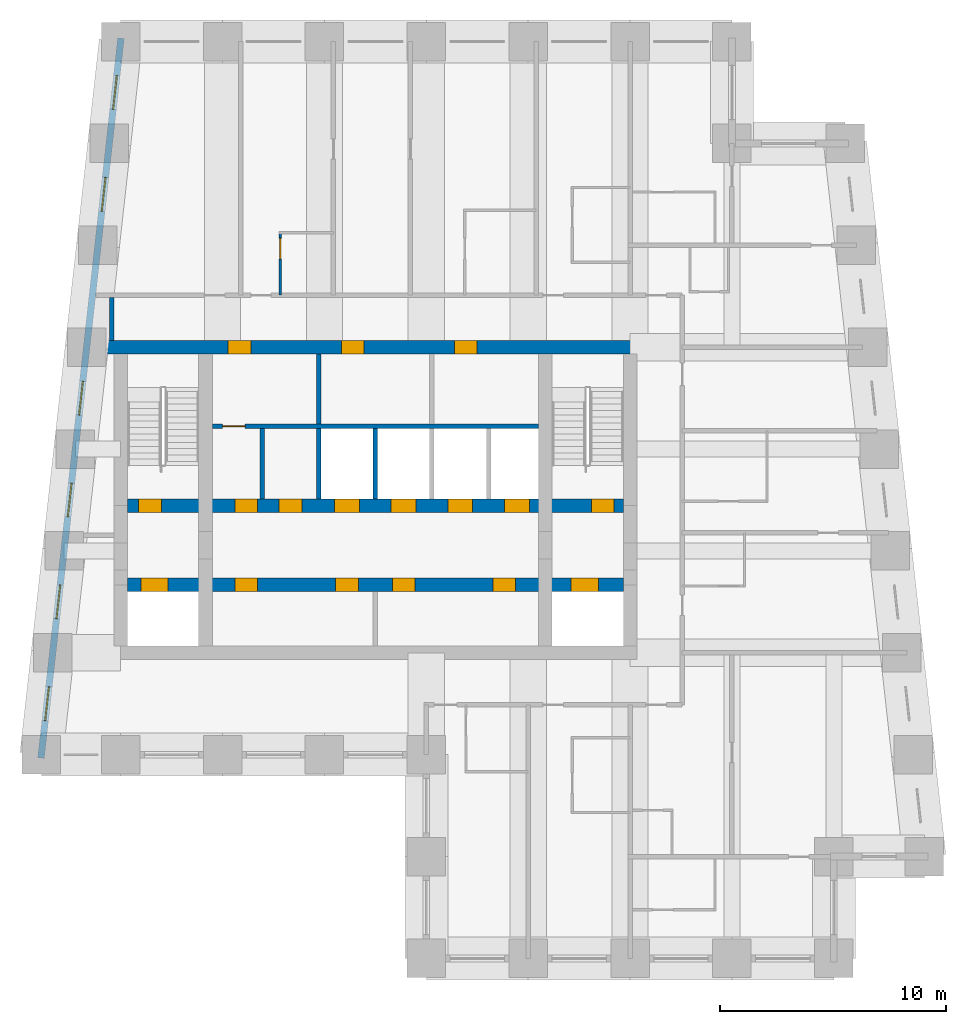
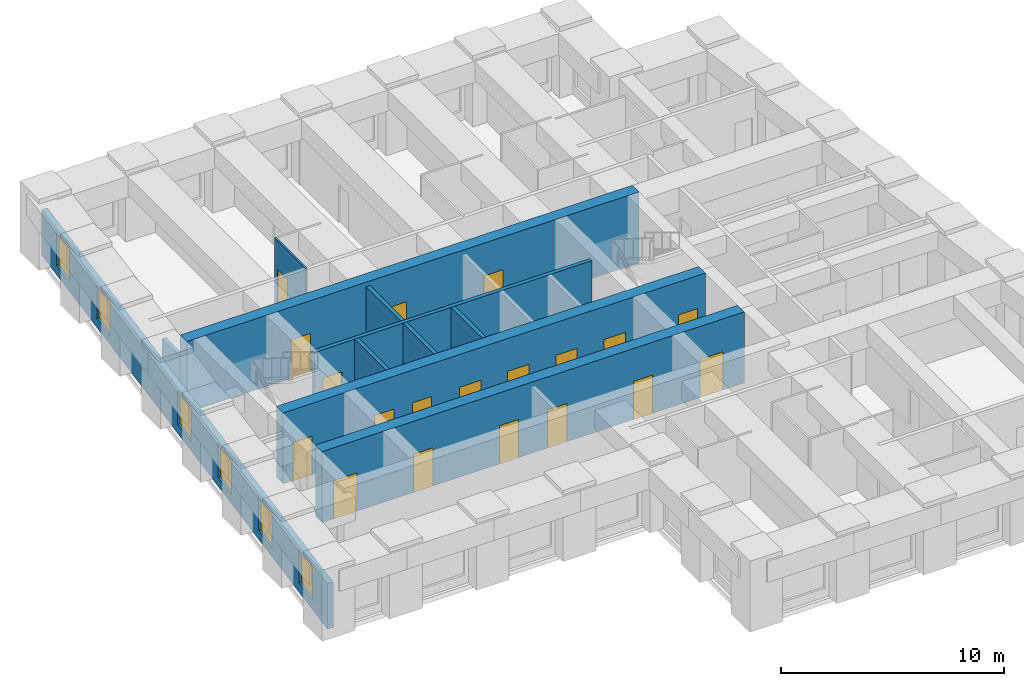
# One storey, part 3 of 7: 19 doors, 11 walls, 6 windows, 25 openings.
"""IFC4 building model written with IfcOpenShell, lengths in metres."""

import ifcopenshell
import ifcopenshell.guid

model = None  # the IFC model being written
_history = None  # IfcOwnerHistory: only IFC2X3 demands one
_inside = {}  # id of a spatial element -> (the spatial element, [elements in it])
_under = {}  # id of a project, library or spatial element -> (it, [spatial elements below it])
_declared = {}  # id of a project -> (the project, [libraries it declares])
_typed = {}  # id of a type object -> (the type object, [elements of that type])
_made_of = {}  # id of a material, layer set ... -> (it, [elements and type objects made of it])


def new_model(schema):
    """Start an empty IFC model of exactly this schema.

    Asked for "IFC4X3", IfcOpenShell would pick the latest addendum, in which some entities
    have other attributes; the version numbers below select the first issue.
    IFC2X3 requires an IfcOwnerHistory on every rooted entity: one is made here for all.
    """
    global model, _history
    if schema == "IFC4X3":
        model = ifcopenshell.file(schema_version=(4, 3, 0, 0))
    else:
        model = ifcopenshell.file(schema=schema)
    _inside.clear()
    _under.clear()
    _declared.clear()
    _typed.clear()
    _made_of.clear()
    _history = None
    if model.schema == "IFC2X3":
        org = make("IfcOrganization", Name="unknown")
        user = make(
            "IfcPersonAndOrganization",
            ThePerson=make("IfcPerson", FamilyName="unknown"),
            TheOrganization=org,
        )
        app = make(
            "IfcApplication",
            ApplicationDeveloper=org,
            Version="unknown",
            ApplicationFullName="unknown",
            ApplicationIdentifier="unknown",
        )
        _history = make(
            "IfcOwnerHistory",
            OwningUser=user,
            OwningApplication=app,
            ChangeAction="ADDED",
            CreationDate=0,
        )
    return model


def make(cls, **values):
    """One entity of the class cls with the attributes given. An attribute that is None is left unset."""
    return model.create_entity(
        cls, **{name: value for name, value in values.items() if value is not None}
    )


def rooted(cls, **values):
    """An entity with a GlobalId (a new one), such as an element, a storey or a relation."""
    return make(cls, GlobalId=ifcopenshell.guid.new(), OwnerHistory=_history, **values)


def si_unit(unit_type, name, prefix=None):
    """IfcSIUnit, for example si_unit("LENGTHUNIT", "METRE", prefix="MILLI")."""
    return make("IfcSIUnit", UnitType=unit_type, Prefix=prefix, Name=name)


def assignment(units):
    """IfcUnitAssignment: the units of a project."""
    return None if units is None else make("IfcUnitAssignment", Units=units)


def point(xyz):
    """IfcCartesianPoint."""
    return None if xyz is None else make("IfcCartesianPoint", Coordinates=xyz)


def direction(xyz):
    """IfcDirection."""
    return None if xyz is None else make("IfcDirection", DirectionRatios=xyz)


def frame(location, z_axis=None, x_axis=None):
    """IfcAxis2Placement3D, a coordinate frame: its origin and axes. An axis left out is left unset."""
    return make(
        "IfcAxis2Placement3D",
        Location=point(location),
        Axis=direction(z_axis),
        RefDirection=direction(x_axis),
    )


def frame_2d(location, x_axis=None):
    """IfcAxis2Placement2D, a coordinate frame in the plane: its origin and x axis."""
    return make(
        "IfcAxis2Placement2D", Location=point(location), RefDirection=direction(x_axis)
    )


def origin():
    """The frame at (0, 0, 0) with its axes left unset."""
    return frame((0.0, 0.0, 0.0))


def place(relative_to, where):
    """IfcLocalPlacement: puts the frame where relative to a parent placement (None: the world)."""
    return make(
        "IfcLocalPlacement", PlacementRelTo=relative_to, RelativePlacement=where
    )


def context(
    kind, dimensions, precision=None, world=None, true_north=None, identifier=None
):
    """IfcGeometricRepresentationContext, for example the 3D "Model" context."""
    return make(
        "IfcGeometricRepresentationContext",
        ContextIdentifier=identifier,
        ContextType=kind,
        CoordinateSpaceDimension=dimensions,
        Precision=precision,
        WorldCoordinateSystem=world,
        TrueNorth=true_north,
    )


def subcontext(parent, identifier, kind, view, scale=None):
    """IfcGeometricRepresentationSubContext, for example "Body" below "Model"."""
    return make(
        "IfcGeometricRepresentationSubContext",
        ContextIdentifier=identifier,
        ContextType=kind,
        ParentContext=parent,
        TargetScale=scale,
        TargetView=view,
    )


def project(units=None, contexts=None):
    """IfcProject with its units and contexts."""
    return rooted(
        "IfcProject",
        Name="project",
        RepresentationContexts=contexts,
        UnitsInContext=assignment(units),
    )


def spatial(cls, under=None, at=None, **own):
    """A site, building, storey or space (cls), placed at a placement, below another one or the project."""
    s = rooted(cls, ObjectPlacement=at, **own)
    if under is not None:
        _under.setdefault(under.id(), (under, []))[1].append(s)
    return s


def profile(cls, at=None, kind="AREA", **sizes):
    """A parametric profile (cls). Its sizes go by their IFC names, for example OverallWidth=200.0."""
    return make(cls, ProfileType=kind, Position=at, **sizes)


def rectangle(**sizes):
    """IfcRectangleProfileDef."""
    return profile("IfcRectangleProfileDef", **sizes)


def extrude(swept, where, along, depth):
    """IfcExtrudedAreaSolid: the profile swept, set in the frame where, extruded along a direction by depth."""
    return make(
        "IfcExtrudedAreaSolid",
        SweptArea=swept,
        Position=where,
        ExtrudedDirection=direction(along),
        Depth=depth,
    )


def shape(context_of_items, identifier, shape_type, items):
    """IfcShapeRepresentation: the items that make up one representation, for example the "Body"."""
    return make(
        "IfcShapeRepresentation",
        ContextOfItems=context_of_items,
        RepresentationIdentifier=identifier,
        RepresentationType=shape_type,
        Items=items,
    )


def material(Name=None, Category=None):
    """IfcMaterial."""
    return make("IfcMaterial", Name=Name, Category=Category)


def layer(
    of_material, thickness, ventilated=None, Name=None, Category=None, Priority=None
):
    """IfcMaterialLayer: one layer of a wall or slab, of a material (None: an air gap)."""
    return make(
        "IfcMaterialLayer",
        Material=of_material,
        LayerThickness=thickness,
        IsVentilated=ventilated,
        Name=Name,
        Category=Category,
        Priority=Priority,
    )


def layer_set(layers, Name=None):
    """IfcMaterialLayerSet."""
    return make("IfcMaterialLayerSet", MaterialLayers=layers, LayerSetName=Name)


def made_of(thing, what):
    """Note that an element or type object is made of a material, layer set ...; save() writes the relation."""
    if what is not None:
        _made_of.setdefault(what.id(), (what, []))[1].append(thing)
    return thing


def type_object(cls, material=None, **own):
    """A type object (cls), such as IfcWallType, which elements share."""
    return made_of(rooted(cls, **own), material)


def element(
    cls,
    number,
    at=None,
    inside=None,
    cuts=None,
    type_object=None,
    material=None,
    context=None,
    identifier="Body",
    shape_type=None,
    held_by="IfcProductDefinitionShape",
    body=None,
    shapes=None,
    **own,
):
    """One element of the class cls, such as IfcWall. Its Tag is "e" and its number.

    at: its placement. inside: the storey or other place that contains it. cuts: it is an
    opening in that element (IfcRelVoidsElement). A single representation is given by context,
    identifier, shape_type and body (its items); several are given by shapes. held_by: the class
    of the entity that holds the representations. save() writes the other relations.
    """
    e = rooted(cls, Tag="e%d" % number, ObjectPlacement=at, **own)
    if body is not None:
        shapes = [shape(context, identifier, shape_type, body)]
    if shapes is not None:
        e.Representation = make(held_by, Representations=shapes)
    if inside is not None:
        _inside.setdefault(inside.id(), (inside, []))[1].append(e)
    if cuts is not None:
        rooted(
            "IfcRelVoidsElement", RelatingBuildingElement=cuts, RelatedOpeningElement=e
        )
    if type_object is not None:
        _typed.setdefault(type_object.id(), (type_object, []))[1].append(e)
    return made_of(e, material)


def fill(opening, filler):
    """IfcRelFillsElement: the door or window that sits in an opening."""
    return rooted(
        "IfcRelFillsElement",
        RelatingOpeningElement=opening,
        RelatedBuildingElement=filler,
    )


def aggregate(whole, parts):
    """IfcRelAggregates: a whole, such as a stair, and the parts it consists of."""
    return rooted("IfcRelAggregates", RelatingObject=whole, RelatedObjects=parts)


def save(model, path):
    """Write the relations noted so far, then the file.

    IfcRelAggregates (storeys below a building ...), IfcRelContainedInSpatialStructure (elements
    in a storey), IfcRelDefinesByType, IfcRelAssociatesMaterial and IfcRelDeclares: one each for
    every whole, place, type object, material and project.
    """
    for whole, parts in _under.values():
        aggregate(whole, parts)
    for where, things in _inside.values():
        rooted(
            "IfcRelContainedInSpatialStructure",
            RelatedElements=things,
            RelatingStructure=where,
        )
    for kind, things in _typed.values():
        rooted("IfcRelDefinesByType", RelatedObjects=things, RelatingType=kind)
    for what, things in _made_of.values():
        rooted("IfcRelAssociatesMaterial", RelatedObjects=things, RelatingMaterial=what)
    for by, libraries in _declared.values():
        rooted("IfcRelDeclares", RelatingContext=by, RelatedDefinitions=libraries)
    model.write(path)


model = new_model("IFC4")

# Units and contexts
model_context = context("Model", 3, precision=1e-05, world=origin(), true_north=direction((0.0, 1.0)))
body_context = subcontext(model_context, "Body", "Model", "MODEL_VIEW")
ifc_project = project(units=[si_unit("LENGTHUNIT", "METRE"), si_unit("AREAUNIT", "SQUARE_METRE"), si_unit("VOLUMEUNIT", "CUBIC_METRE"), si_unit("PLANEANGLEUNIT", "RADIAN"), si_unit("MASSUNIT", "GRAM", prefix="KILO")], contexts=[model_context])

# Site, building, storey
site_placement = place(None, origin())
site = spatial("IfcSite", under=ifc_project, at=site_placement, CompositionType="ELEMENT")
building_placement = place(site_placement, origin())
building = spatial("IfcBuilding", under=site, at=building_placement, Name="Kilele Tower Hotel", CompositionType="ELEMENT")
storey_placement = place(building_placement, frame((0.0, 0.0, 229.10009765625)))
storey = spatial("IfcBuildingStorey", under=building, at=storey_placement, Name="L59", CompositionType="ELEMENT", Elevation=229.10009765625)

# Wall, opening, door
ifc_material_1 = material(Name="Moisture-resistant board")
ifc_layer_1 = layer(ifc_material_1, 0.10009765625)
ifc_layer_set_1 = layer_set([ifc_layer_1], Name="Moisture-resistant board")
wall_type_1 = type_object("IfcWallType", Name="Bathroom partition 100", PredefinedType="PLUMBINGWALL", material=ifc_layer_set_1)
wall_1_placement = place(storey_placement, frame((20.550048828125, 29.300048828125, 0.0), z_axis=(0.0, 0.0, 1.0), x_axis=(0.0, 1.0, 0.0)))
wall_1 = element("IfcWall", 1, at=wall_1_placement, inside=storey, type_object=wall_type_1, Name="Bathroom partition 100 L59", PredefinedType="PLUMBINGWALL", context=body_context, shape_type="SweptSolid", body=[
    extrude(rectangle(XDim=2.800048828125, YDim=0.10009765625, at=frame_2d((1.39990234375, 0.0))), origin(), (0.0, 0.0, 1.0), 3.64990234375),
])
opening_1_placement = place(wall_1_placement, frame((1.60009765625, 0.0, 0.0)))
opening_1 = element("IfcOpeningElement", 2, at=opening_1_placement, cuts=wall_1, Name="Opening D2A", PredefinedType="OPENING", context=body_context, shape_type="SweptSolid", body=[
    extrude(rectangle(XDim=0.89990234375, YDim=2.10009765625, at=frame_2d((0.449951171875, 1.050048828125))), frame((0.0, 0.06005859375, 0.0), z_axis=(0.0, -1.0, 0.0), x_axis=(1.0, 0.0, 0.0)), (0.0, 0.0, 1.0), 0.1201171875),
])
ifc_material_2 = material(Name="Timber door leaf in hardwood frame", Category="wood")
door_type_1 = type_object("IfcDoorType", Name="Bathroom door 900", OperationType="SINGLE_SWING_LEFT", PredefinedType="DOOR", material=ifc_material_2)
door_1_placement = place(opening_1_placement, origin())
door_1 = element("IfcDoor", 3, at=door_1_placement, inside=storey, type_object=door_type_1, Name="Bathroom door 5908B", OperationType="SINGLE_SWING_LEFT", OverallHeight=2.10009765625, OverallWidth=0.89990234375, PredefinedType="DOOR", context=body_context, shape_type="SweptSolid", body=[
    extrude(rectangle(XDim=0.89990234375, YDim=2.10009765625, at=frame_2d((0.449951171875, 1.050048828125))), frame((0.0, 0.02490234375, 0.0), z_axis=(0.0, -1.0, 0.0), x_axis=(1.0, 0.0, 0.0)), (0.0, 0.0, 1.0), 0.050048828125),
])
fill(opening_1, door_1)

# Wall, openings, doors
ifc_material_3 = material(Name="Concrete C60/75", Category="concrete")
ifc_layer_2 = layer(ifc_material_3, 0.60009765625)
ifc_layer_set_2 = layer_set([ifc_layer_2], Name="Concrete C60/75")
wall_type_2 = type_object("IfcWallType", Name="Core wall 600 C60/75", PredefinedType="SHEAR", material=ifc_layer_set_2)
wall_2_placement = place(storey_placement, frame((36.300048828125, 27.0, 0.0), z_axis=(0.0, 0.0, 1.0), x_axis=(-1.0, 0.0, 0.0)))
wall_2 = element("IfcWall", 4, at=wall_2_placement, inside=storey, type_object=wall_type_2, Name="Core wall N L59", PredefinedType="SHEAR", context=body_context, shape_type="SweptSolid", body=[
    extrude(rectangle(XDim=23.449951171875, YDim=0.60009765625, at=frame_2d((11.72509765625, 0.0))), origin(), (0.0, 0.0, 1.0), 3.89990234375),
])
opening_2_placement = place(wall_2_placement, frame((17.050048828125, 0.0, 0.0)))
opening_2 = element("IfcOpeningElement", 5, at=opening_2_placement, cuts=wall_2, Name="Opening D12", PredefinedType="OPENING", context=body_context, shape_type="SweptSolid", body=[
    extrude(rectangle(XDim=1.0, YDim=2.10009765625, at=frame_2d((0.5, 1.050048828125))), frame((0.0, 0.31005859375, 0.0), z_axis=(0.0, -1.0, 0.0), x_axis=(1.0, 0.0, 0.0)), (0.0, 0.0, 1.0), 0.6201171875),
])
opening_3_placement = place(wall_2_placement, frame((12.050048828125, 0.0, 0.0)))
opening_3 = element("IfcOpeningElement", 6, at=opening_3_placement, cuts=wall_2, Name="Opening D6", PredefinedType="OPENING", context=body_context, shape_type="SweptSolid", body=[
    extrude(rectangle(XDim=1.0, YDim=2.10009765625, at=frame_2d((0.5, 1.050048828125))), frame((0.0, 0.31005859375, 0.0), z_axis=(0.0, -1.0, 0.0), x_axis=(1.0, 0.0, 0.0)), (0.0, 0.0, 1.0), 0.6201171875),
])
opening_4_placement = place(wall_2_placement, frame((7.050048828125, 0.0, 0.0)))
opening_4 = element("IfcOpeningElement", 7, at=opening_4_placement, cuts=wall_2, Name="Opening D6", PredefinedType="OPENING", context=body_context, shape_type="SweptSolid", body=[
    extrude(rectangle(XDim=1.0, YDim=2.10009765625, at=frame_2d((0.5, 1.050048828125))), frame((0.0, 0.31005859375, 0.0), z_axis=(0.0, -1.0, 0.0), x_axis=(1.0, 0.0, 0.0)), (0.0, 0.0, 1.0), 0.6201171875),
])
ifc_material_4 = material(Name="Timber door leaf in hardwood frame", Category="wood")
door_type_2 = type_object("IfcDoorType", Name="Core lobby door 1000", OperationType="SINGLE_SWING_LEFT", PredefinedType="DOOR", material=ifc_material_4)
door_2_placement = place(opening_2_placement, origin())
door_2 = element("IfcDoor", 8, at=door_2_placement, inside=storey, type_object=door_type_2, Name="North lobby door L59", OperationType="SINGLE_SWING_RIGHT", OverallHeight=2.10009765625, OverallWidth=1.0, PredefinedType="DOOR", context=body_context, shape_type="SweptSolid", body=[
    extrude(rectangle(XDim=1.0, YDim=2.10009765625, at=frame_2d((0.5, 1.050048828125))), frame((0.0, 0.2998046875, 0.0), z_axis=(0.0, -1.0, 0.0), x_axis=(1.0, 0.0, 0.0)), (0.0, 0.0, 1.0), 0.599609375),
])
fill(opening_2, door_2)
ifc_material_5 = material(Name="Timber door leaf in hardwood frame", Category="wood")
door_type_3 = type_object("IfcDoorType", Name="Riser door 1000", OperationType="SINGLE_SWING_LEFT", PredefinedType="DOOR", material=ifc_material_5)
door_3_placement = place(opening_3_placement, origin())
door_3 = element("IfcDoor", 9, at=door_3_placement, inside=storey, type_object=door_type_3, Name="IT and comms room door L59", OperationType="SINGLE_SWING_RIGHT", OverallHeight=2.10009765625, OverallWidth=1.0, PredefinedType="DOOR", context=body_context, shape_type="SweptSolid", body=[
    extrude(rectangle(XDim=1.0, YDim=2.10009765625, at=frame_2d((0.5, 1.050048828125))), frame((0.0, 0.2998046875, 0.0), z_axis=(0.0, -1.0, 0.0), x_axis=(1.0, 0.0, 0.0)), (0.0, 0.0, 1.0), 0.599609375),
])
fill(opening_3, door_3)
door_4_placement = place(opening_4_placement, origin())
door_4 = element("IfcDoor", 10, at=door_4_placement, inside=storey, type_object=door_type_3, Name="Electrical riser door L59", OperationType="SINGLE_SWING_RIGHT", OverallHeight=2.10009765625, OverallWidth=1.0, PredefinedType="DOOR", context=body_context, shape_type="SweptSolid", body=[
    extrude(rectangle(XDim=1.0, YDim=2.10009765625, at=frame_2d((0.5, 1.050048828125))), frame((0.0, 0.2998046875, 0.0), z_axis=(0.0, -1.0, 0.0), x_axis=(1.0, 0.0, 0.0)), (0.0, 0.0, 1.0), 0.599609375),
])
fill(opening_4, door_4)

wall_3_placement = place(storey_placement, frame((13.800048828125, 16.5, 0.0), z_axis=(0.0, 0.0, 1.0), x_axis=(1.0, 0.0, 0.0)))
wall_3 = element("IfcWall", 11, at=wall_3_placement, inside=storey, type_object=wall_type_2, Name="Core wall LS L59", PredefinedType="SHEAR", context=body_context, shape_type="SweptSolid", body=[
    extrude(rectangle(XDim=21.89990234375, YDim=0.60009765625, at=frame_2d((10.949951171875, 0.0))), origin(), (0.0, 0.0, 1.0), 3.89990234375),
])
opening_5_placement = place(wall_3_placement, frame((5.75, 0.0, 0.0), z_axis=(0.0, 0.0, 1.0), x_axis=(-1.0, 0.0, 0.0)))
opening_5 = element("IfcOpeningElement", 12, at=opening_5_placement, cuts=wall_3, Name="Opening D11", PredefinedType="OPENING", context=body_context, shape_type="SweptSolid", body=[
    extrude(rectangle(XDim=1.0, YDim=2.10009765625, at=frame_2d((0.5, 1.050048828125))), frame((0.0, 0.31005859375, 0.0), z_axis=(0.0, -1.0, 0.0), x_axis=(1.0, 0.0, 0.0)), (0.0, 0.0, 1.0), 0.6201171875),
])
opening_6_placement = place(wall_3_placement, frame((10.199951171875, 0.0, 0.0), z_axis=(0.0, 0.0, 1.0), x_axis=(-1.0, 0.0, 0.0)))
opening_6 = element("IfcOpeningElement", 13, at=opening_6_placement, cuts=wall_3, Name="Opening D11", PredefinedType="OPENING", context=body_context, shape_type="SweptSolid", body=[
    extrude(rectangle(XDim=1.0, YDim=2.10009765625, at=frame_2d((0.5, 1.050048828125))), frame((0.0, 0.31005859375, 0.0), z_axis=(0.0, -1.0, 0.0), x_axis=(1.0, 0.0, 0.0)), (0.0, 0.0, 1.0), 0.6201171875),
])
opening_7_placement = place(wall_3_placement, frame((12.699951171875, 0.0, 0.0), z_axis=(0.0, 0.0, 1.0), x_axis=(-1.0, 0.0, 0.0)))
opening_7 = element("IfcOpeningElement", 14, at=opening_7_placement, cuts=wall_3, Name="Opening D11", PredefinedType="OPENING", context=body_context, shape_type="SweptSolid", body=[
    extrude(rectangle(XDim=1.0, YDim=2.10009765625, at=frame_2d((0.5, 1.050048828125))), frame((0.0, 0.31005859375, 0.0), z_axis=(0.0, -1.0, 0.0), x_axis=(1.0, 0.0, 0.0)), (0.0, 0.0, 1.0), 0.6201171875),
])
opening_8_placement = place(wall_3_placement, frame((17.14990234375, 0.0, 0.0), z_axis=(0.0, 0.0, 1.0), x_axis=(-1.0, 0.0, 0.0)))
opening_8 = element("IfcOpeningElement", 15, at=opening_8_placement, cuts=wall_3, Name="Opening D11", PredefinedType="OPENING", context=body_context, shape_type="SweptSolid", body=[
    extrude(rectangle(XDim=1.0, YDim=2.10009765625, at=frame_2d((0.5, 1.050048828125))), frame((0.0, 0.31005859375, 0.0), z_axis=(0.0, -1.0, 0.0), x_axis=(1.0, 0.0, 0.0)), (0.0, 0.0, 1.0), 0.6201171875),
])
opening_9_placement = place(wall_3_placement, frame((0.60009765625, 0.0, 0.0)))
opening_9 = element("IfcOpeningElement", 16, at=opening_9_placement, cuts=wall_3, Name="Opening LD2", PredefinedType="OPENING", context=body_context, shape_type="SweptSolid", body=[
    extrude(rectangle(XDim=1.199951171875, YDim=2.10009765625, at=frame_2d((0.60009765625, 1.050048828125))), frame((0.0, 0.31005859375, 0.0), z_axis=(0.0, -1.0, 0.0), x_axis=(1.0, 0.0, 0.0)), (0.0, 0.0, 1.0), 0.6201171875),
])
opening_10_placement = place(wall_3_placement, frame((19.60009765625, 0.0, 0.0)))
opening_10 = element("IfcOpeningElement", 17, at=opening_10_placement, cuts=wall_3, Name="Opening LD2", PredefinedType="OPENING", context=body_context, shape_type="SweptSolid", body=[
    extrude(rectangle(XDim=1.199951171875, YDim=2.10009765625, at=frame_2d((0.60009765625, 1.050048828125))), frame((0.0, 0.31005859375, 0.0), z_axis=(0.0, -1.0, 0.0), x_axis=(1.0, 0.0, 0.0)), (0.0, 0.0, 1.0), 0.6201171875),
])
ifc_material_6 = material(Name="Timber door leaf in hardwood frame", Category="wood")
door_type_4 = type_object("IfcDoorType", Name="Core store door 1000", OperationType="SINGLE_SWING_LEFT", PredefinedType="DOOR", material=ifc_material_6)
door_5_placement = place(opening_5_placement, origin())
door_5 = element("IfcDoor", 18, at=door_5_placement, inside=storey, type_object=door_type_4, Name="Core room door L1 L59", OperationType="SINGLE_SWING_RIGHT", OverallHeight=2.10009765625, OverallWidth=1.0, PredefinedType="DOOR", context=body_context, shape_type="SweptSolid", body=[
    extrude(rectangle(XDim=1.0, YDim=2.10009765625, at=frame_2d((0.5, 1.050048828125))), frame((0.0, 0.2998046875, 0.0), z_axis=(0.0, -1.0, 0.0), x_axis=(1.0, 0.0, 0.0)), (0.0, 0.0, 1.0), 0.599609375),
])
fill(opening_5, door_5)
door_6_placement = place(opening_6_placement, origin())
door_6 = element("IfcDoor", 19, at=door_6_placement, inside=storey, type_object=door_type_4, Name="Core room door L3 L59", OperationType="SINGLE_SWING_LEFT", OverallHeight=2.10009765625, OverallWidth=1.0, PredefinedType="DOOR", context=body_context, shape_type="SweptSolid", body=[
    extrude(rectangle(XDim=1.0, YDim=2.10009765625, at=frame_2d((0.5, 1.050048828125))), frame((0.0, 0.2998046875, 0.0), z_axis=(0.0, -1.0, 0.0), x_axis=(1.0, 0.0, 0.0)), (0.0, 0.0, 1.0), 0.599609375),
])
fill(opening_6, door_6)
door_7_placement = place(opening_7_placement, origin())
door_7 = element("IfcDoor", 20, at=door_7_placement, inside=storey, type_object=door_type_4, Name="Core room door M1 L59", OperationType="SINGLE_SWING_RIGHT", OverallHeight=2.10009765625, OverallWidth=1.0, PredefinedType="DOOR", context=body_context, shape_type="SweptSolid", body=[
    extrude(rectangle(XDim=1.0, YDim=2.10009765625, at=frame_2d((0.5, 1.050048828125))), frame((0.0, 0.2998046875, 0.0), z_axis=(0.0, -1.0, 0.0), x_axis=(1.0, 0.0, 0.0)), (0.0, 0.0, 1.0), 0.599609375),
])
fill(opening_7, door_7)
door_8_placement = place(opening_8_placement, origin())
door_8 = element("IfcDoor", 21, at=door_8_placement, inside=storey, type_object=door_type_4, Name="Core room door M3 L59", OperationType="SINGLE_SWING_LEFT", OverallHeight=2.10009765625, OverallWidth=1.0, PredefinedType="DOOR", context=body_context, shape_type="SweptSolid", body=[
    extrude(rectangle(XDim=1.0, YDim=2.10009765625, at=frame_2d((0.5, 1.050048828125))), frame((0.0, 0.2998046875, 0.0), z_axis=(0.0, -1.0, 0.0), x_axis=(1.0, 0.0, 0.0)), (0.0, 0.0, 1.0), 0.599609375),
])
fill(opening_8, door_8)
ifc_material_7 = material(Name="Steel lift landing door", Category="steel")
door_type_5 = type_object("IfcDoorType", Name="Firefighting lift landing door 1200", OperationType="SLIDING_TO_LEFT", PredefinedType="DOOR", material=ifc_material_7)
door_9_placement = place(opening_9_placement, origin())
door_9 = element("IfcDoor", 22, at=door_9_placement, inside=storey, type_object=door_type_5, Name="Landing door FFW L59", OperationType="SLIDING_TO_LEFT", OverallHeight=2.10009765625, OverallWidth=1.199951171875, PredefinedType="DOOR", context=body_context, shape_type="SweptSolid", body=[
    extrude(rectangle(XDim=1.199951171875, YDim=2.10009765625, at=frame_2d((0.60009765625, 1.050048828125))), frame((0.0, 0.2998046875, 0.0), z_axis=(0.0, -1.0, 0.0), x_axis=(1.0, 0.0, 0.0)), (0.0, 0.0, 1.0), 0.599609375),
])
fill(opening_9, door_9)
door_10_placement = place(opening_10_placement, origin())
door_10 = element("IfcDoor", 23, at=door_10_placement, inside=storey, type_object=door_type_5, Name="Landing door FFE L59", OperationType="SLIDING_TO_LEFT", OverallHeight=2.10009765625, OverallWidth=1.199951171875, PredefinedType="DOOR", context=body_context, shape_type="SweptSolid", body=[
    extrude(rectangle(XDim=1.199951171875, YDim=2.10009765625, at=frame_2d((0.60009765625, 1.050048828125))), frame((0.0, 0.2998046875, 0.0), z_axis=(0.0, -1.0, 0.0), x_axis=(1.0, 0.0, 0.0)), (0.0, 0.0, 1.0), 0.599609375),
])
fill(opening_10, door_10)

wall_4_placement = place(storey_placement, frame((13.800048828125, 20.0, 0.0), z_axis=(0.0, 0.0, 1.0), x_axis=(1.0, 0.0, 0.0)))
wall_4 = element("IfcWall", 24, at=wall_4_placement, inside=storey, type_object=wall_type_2, Name="Core wall LN L59", PredefinedType="SHEAR", context=body_context, shape_type="SweptSolid", body=[
    extrude(rectangle(XDim=21.89990234375, YDim=0.60009765625, at=frame_2d((10.949951171875, 0.0))), origin(), (0.0, 0.0, 1.0), 3.89990234375),
])
opening_11_placement = place(wall_4_placement, frame((0.5, 0.0, 0.0)))
opening_11 = element("IfcOpeningElement", 25, at=opening_11_placement, cuts=wall_4, Name="Opening D5", PredefinedType="OPENING", context=body_context, shape_type="SweptSolid", body=[
    extrude(rectangle(XDim=1.0, YDim=2.10009765625, at=frame_2d((0.5, 1.050048828125))), frame((0.0, 0.31005859375, 0.0), z_axis=(0.0, -1.0, 0.0), x_axis=(1.0, 0.0, 0.0)), (0.0, 0.0, 1.0), 0.6201171875),
])
opening_12_placement = place(wall_4_placement, frame((20.5, 0.0, 0.0)))
opening_12 = element("IfcOpeningElement", 26, at=opening_12_placement, cuts=wall_4, Name="Opening D5", PredefinedType="OPENING", context=body_context, shape_type="SweptSolid", body=[
    extrude(rectangle(XDim=1.0, YDim=2.10009765625, at=frame_2d((0.5, 1.050048828125))), frame((0.0, 0.31005859375, 0.0), z_axis=(0.0, -1.0, 0.0), x_axis=(1.0, 0.0, 0.0)), (0.0, 0.0, 1.0), 0.6201171875),
])
opening_13_placement = place(wall_4_placement, frame((9.14990234375, 0.0, 0.0)))
opening_13 = element("IfcOpeningElement", 27, at=opening_13_placement, cuts=wall_4, Name="Opening LD1", PredefinedType="OPENING", context=body_context, shape_type="SweptSolid", body=[
    extrude(rectangle(XDim=1.10009765625, YDim=2.10009765625, at=frame_2d((0.550048828125, 1.050048828125))), frame((0.0, 0.31005859375, 0.0), z_axis=(0.0, -1.0, 0.0), x_axis=(1.0, 0.0, 0.0)), (0.0, 0.0, 1.0), 0.6201171875),
])
opening_14_placement = place(wall_4_placement, frame((11.64990234375, 0.0, 0.0)))
opening_14 = element("IfcOpeningElement", 28, at=opening_14_placement, cuts=wall_4, Name="Opening LD1", PredefinedType="OPENING", context=body_context, shape_type="SweptSolid", body=[
    extrude(rectangle(XDim=1.10009765625, YDim=2.10009765625, at=frame_2d((0.550048828125, 1.050048828125))), frame((0.0, 0.31005859375, 0.0), z_axis=(0.0, -1.0, 0.0), x_axis=(1.0, 0.0, 0.0)), (0.0, 0.0, 1.0), 0.6201171875),
])
opening_15_placement = place(wall_4_placement, frame((14.14990234375, 0.0, 0.0)))
opening_15 = element("IfcOpeningElement", 29, at=opening_15_placement, cuts=wall_4, Name="Opening LD1", PredefinedType="OPENING", context=body_context, shape_type="SweptSolid", body=[
    extrude(rectangle(XDim=1.10009765625, YDim=2.10009765625, at=frame_2d((0.550048828125, 1.050048828125))), frame((0.0, 0.31005859375, 0.0), z_axis=(0.0, -1.0, 0.0), x_axis=(1.0, 0.0, 0.0)), (0.0, 0.0, 1.0), 0.6201171875),
])
opening_16_placement = place(wall_4_placement, frame((16.64990234375, 0.0, 0.0)))
opening_16 = element("IfcOpeningElement", 30, at=opening_16_placement, cuts=wall_4, Name="Opening LD1", PredefinedType="OPENING", context=body_context, shape_type="SweptSolid", body=[
    extrude(rectangle(XDim=1.10009765625, YDim=2.10009765625, at=frame_2d((0.550048828125, 1.050048828125))), frame((0.0, 0.31005859375, 0.0), z_axis=(0.0, -1.0, 0.0), x_axis=(1.0, 0.0, 0.0)), (0.0, 0.0, 1.0), 0.6201171875),
])
opening_17_placement = place(wall_4_placement, frame((5.75, 0.0, 0.0), z_axis=(0.0, 0.0, 1.0), x_axis=(-1.0, 0.0, 0.0)))
opening_17 = element("IfcOpeningElement", 31, at=opening_17_placement, cuts=wall_4, Name="Opening D12", PredefinedType="OPENING", context=body_context, shape_type="SweptSolid", body=[
    extrude(rectangle(XDim=1.0, YDim=2.10009765625, at=frame_2d((0.5, 1.050048828125))), frame((0.0, 0.31005859375, 0.0), z_axis=(0.0, -1.0, 0.0), x_axis=(1.0, 0.0, 0.0)), (0.0, 0.0, 1.0), 0.6201171875),
])
opening_18_placement = place(wall_4_placement, frame((6.699951171875, 0.0, 0.0)))
opening_18 = element("IfcOpeningElement", 32, at=opening_18_placement, cuts=wall_4, Name="Opening D11", PredefinedType="OPENING", context=body_context, shape_type="SweptSolid", body=[
    extrude(rectangle(XDim=1.0, YDim=2.10009765625, at=frame_2d((0.5, 1.050048828125))), frame((0.0, 0.31005859375, 0.0), z_axis=(0.0, -1.0, 0.0), x_axis=(1.0, 0.0, 0.0)), (0.0, 0.0, 1.0), 0.6201171875),
])
door_11_placement = place(opening_17_placement, origin())
door_11 = element("IfcDoor", 33, at=door_11_placement, inside=storey, type_object=door_type_2, Name="Core passage door L59", OperationType="SINGLE_SWING_RIGHT", OverallHeight=2.10009765625, OverallWidth=1.0, PredefinedType="DOOR", context=body_context, shape_type="SweptSolid", body=[
    extrude(rectangle(XDim=1.0, YDim=2.10009765625, at=frame_2d((0.5, 1.050048828125))), frame((0.0, 0.2998046875, 0.0), z_axis=(0.0, -1.0, 0.0), x_axis=(1.0, 0.0, 0.0)), (0.0, 0.0, 1.0), 0.599609375),
])
fill(opening_17, door_11)
door_12_placement = place(opening_18_placement, origin())
door_12 = element("IfcDoor", 34, at=door_12_placement, inside=storey, type_object=door_type_4, Name="Core room door S2 L59", OperationType="SINGLE_SWING_LEFT", OverallHeight=2.10009765625, OverallWidth=1.0, PredefinedType="DOOR", context=body_context, shape_type="SweptSolid", body=[
    extrude(rectangle(XDim=1.0, YDim=2.10009765625, at=frame_2d((0.5, 1.050048828125))), frame((0.0, 0.2998046875, 0.0), z_axis=(0.0, -1.0, 0.0), x_axis=(1.0, 0.0, 0.0)), (0.0, 0.0, 1.0), 0.599609375),
])
fill(opening_18, door_12)
ifc_material_8 = material(Name="Steel lift landing door", Category="steel")
door_type_6 = type_object("IfcDoorType", Name="Lift landing door 1100", OperationType="SLIDING_TO_LEFT", PredefinedType="DOOR", material=ifc_material_8)
door_13_placement = place(opening_13_placement, origin())
door_13 = element("IfcDoor", 35, at=door_13_placement, inside=storey, type_object=door_type_6, Name="Landing door H1 L59", OperationType="SLIDING_TO_LEFT", OverallHeight=2.10009765625, OverallWidth=1.10009765625, PredefinedType="DOOR", context=body_context, shape_type="SweptSolid", body=[
    extrude(rectangle(XDim=1.10009765625, YDim=2.10009765625, at=frame_2d((0.550048828125, 1.050048828125))), frame((0.0, 0.2998046875, 0.0), z_axis=(0.0, -1.0, 0.0), x_axis=(1.0, 0.0, 0.0)), (0.0, 0.0, 1.0), 0.599609375),
])
fill(opening_13, door_13)
door_14_placement = place(opening_14_placement, origin())
door_14 = element("IfcDoor", 36, at=door_14_placement, inside=storey, type_object=door_type_6, Name="Landing door H2 L59", OperationType="SLIDING_TO_LEFT", OverallHeight=2.10009765625, OverallWidth=1.10009765625, PredefinedType="DOOR", context=body_context, shape_type="SweptSolid", body=[
    extrude(rectangle(XDim=1.10009765625, YDim=2.10009765625, at=frame_2d((0.550048828125, 1.050048828125))), frame((0.0, 0.2998046875, 0.0), z_axis=(0.0, -1.0, 0.0), x_axis=(1.0, 0.0, 0.0)), (0.0, 0.0, 1.0), 0.599609375),
])
fill(opening_14, door_14)
door_15_placement = place(opening_15_placement, origin())
door_15 = element("IfcDoor", 37, at=door_15_placement, inside=storey, type_object=door_type_6, Name="Landing door H3 L59", OperationType="SLIDING_TO_LEFT", OverallHeight=2.10009765625, OverallWidth=1.10009765625, PredefinedType="DOOR", context=body_context, shape_type="SweptSolid", body=[
    extrude(rectangle(XDim=1.10009765625, YDim=2.10009765625, at=frame_2d((0.550048828125, 1.050048828125))), frame((0.0, 0.2998046875, 0.0), z_axis=(0.0, -1.0, 0.0), x_axis=(1.0, 0.0, 0.0)), (0.0, 0.0, 1.0), 0.599609375),
])
fill(opening_15, door_15)
door_16_placement = place(opening_16_placement, origin())
door_16 = element("IfcDoor", 38, at=door_16_placement, inside=storey, type_object=door_type_6, Name="Landing door G1 L59", OperationType="SLIDING_TO_LEFT", OverallHeight=2.10009765625, OverallWidth=1.10009765625, PredefinedType="DOOR", context=body_context, shape_type="SweptSolid", body=[
    extrude(rectangle(XDim=1.10009765625, YDim=2.10009765625, at=frame_2d((0.550048828125, 1.050048828125))), frame((0.0, 0.2998046875, 0.0), z_axis=(0.0, -1.0, 0.0), x_axis=(1.0, 0.0, 0.0)), (0.0, 0.0, 1.0), 0.599609375),
])
fill(opening_16, door_16)
ifc_material_9 = material(Name="Timber door leaf in hardwood frame", Category="wood")
door_type_7 = type_object("IfcDoorType", Name="Stair door 1000", OperationType="SINGLE_SWING_LEFT", PredefinedType="DOOR", material=ifc_material_9)
door_17_placement = place(opening_11_placement, origin())
door_17 = element("IfcDoor", 39, at=door_17_placement, inside=storey, type_object=door_type_7, Name="Stair 1 door L59", OperationType="SINGLE_SWING_LEFT", OverallHeight=2.10009765625, OverallWidth=1.0, PredefinedType="DOOR", context=body_context, shape_type="SweptSolid", body=[
    extrude(rectangle(XDim=1.0, YDim=2.10009765625, at=frame_2d((0.5, 1.050048828125))), frame((0.0, 0.2998046875, 0.0), z_axis=(0.0, -1.0, 0.0), x_axis=(1.0, 0.0, 0.0)), (0.0, 0.0, 1.0), 0.599609375),
])
fill(opening_11, door_17)
door_18_placement = place(opening_12_placement, origin())
door_18 = element("IfcDoor", 40, at=door_18_placement, inside=storey, type_object=door_type_7, Name="Stair 2 door L59", OperationType="SINGLE_SWING_RIGHT", OverallHeight=2.10009765625, OverallWidth=1.0, PredefinedType="DOOR", context=body_context, shape_type="SweptSolid", body=[
    extrude(rectangle(XDim=1.0, YDim=2.10009765625, at=frame_2d((0.5, 1.050048828125))), frame((0.0, 0.2998046875, 0.0), z_axis=(0.0, -1.0, 0.0), x_axis=(1.0, 0.0, 0.0)), (0.0, 0.0, 1.0), 0.599609375),
])
fill(opening_12, door_18)

# Wall
ifc_material_10 = material(Name="Blockwork, plastered both sides", Category="masonry")
ifc_layer_3 = layer(ifc_material_10, 0.199951171875)
ifc_layer_set_3 = layer_set([ifc_layer_3], Name="Blockwork, plastered both sides")
wall_type_3 = type_object("IfcWallType", Name="Partition wall 200", PredefinedType="PARTITIONING", material=ifc_layer_set_3)
wall_5_placement = place(storey_placement, frame((13.10009765625, 27.300048828125, 0.0), z_axis=(0.0, 0.0, 1.0), x_axis=(0.0, 1.0, 0.0)))
element("IfcWall", 41, at=wall_5_placement, inside=storey, type_object=wall_type_3, Name="Partition wall 200 L59", PredefinedType="PARTITIONING", context=body_context, shape_type="SweptSolid", body=[
    extrude(rectangle(XDim=1.89990234375, YDim=0.199951171875, at=frame_2d((0.949951171875, 0.0))), origin(), (0.0, 0.0, 1.0), 2.5),
])

# Wall, openings, windows
ifc_material_11 = material(Name="Concrete C40/50 precast", Category="concrete")
ifc_layer_4 = layer(ifc_material_11, 0.260009765625, Name="Precast backing", Category="LoadBearing")
ifc_material_12 = material(Name="Reconstituted stone finish", Category="masonry")
ifc_layer_5 = layer(ifc_material_12, 0.0400390625, Name="Face mix", Category="Finish")
ifc_layer_set_4 = layer_set([ifc_layer_4, ifc_layer_5], Name="Precast concrete C40/50, reconstituted stone finish")
wall_type_4 = type_object("IfcWallType", Name="Precast stone facade wall 300", PredefinedType="STANDARD", material=ifc_layer_set_4)
wall_6_placement = place(storey_placement, frame((13.5166015625, 40.649169921875, 0.0), z_axis=(0.0, 0.0, 1.0), x_axis=(-0.110433201132, -0.993883548555, 0.0)))
wall_6 = element("IfcWall", 42, at=wall_6_placement, inside=storey, type_object=wall_type_4, Name="Facade wall L59 edge 10", PredefinedType="STANDARD", context=body_context, shape_type="SweptSolid", body=[
    extrude(rectangle(XDim=31.994140625, YDim=0.300048828125, at=frame_2d((15.9970703125, 0.0))), origin(), (0.0, 0.0, 1.0), 2.5),
])
opening_19_placement = place(wall_6_placement, frame((1.6640625, 0.0, 0.5)))
opening_19 = element("IfcOpeningElement", 43, at=opening_19_placement, cuts=wall_6, Name="Opening W4", PredefinedType="OPENING", context=body_context, shape_type="SweptSolid", body=[
    extrude(rectangle(XDim=1.5, YDim=1.85009765625, at=frame_2d((0.75, 0.925048828125))), frame((0.0, 0.159912109375, 0.0), z_axis=(0.0, -1.0, 0.0), x_axis=(1.0, 0.0, 0.0)), (0.0, 0.0, 1.0), 0.320068359375),
])
opening_20_placement = place(wall_6_placement, frame((6.19189453125, 0.0, 0.5)))
opening_20 = element("IfcOpeningElement", 44, at=opening_20_placement, cuts=wall_6, Name="Opening W4", PredefinedType="OPENING", context=body_context, shape_type="SweptSolid", body=[
    extrude(rectangle(XDim=1.5, YDim=1.85009765625, at=frame_2d((0.75, 0.925048828125))), frame((0.0, 0.159912109375, 0.0), z_axis=(0.0, -1.0, 0.0), x_axis=(1.0, 0.0, 0.0)), (0.0, 0.0, 1.0), 0.320068359375),
])
opening_21_placement = place(wall_6_placement, frame((15.2470703125, 0.0, 0.5)))
opening_21 = element("IfcOpeningElement", 45, at=opening_21_placement, cuts=wall_6, Name="Opening W4", PredefinedType="OPENING", context=body_context, shape_type="SweptSolid", body=[
    extrude(rectangle(XDim=1.5, YDim=1.85009765625, at=frame_2d((0.75, 0.925048828125))), frame((0.0, 0.159912109375, 0.0), z_axis=(0.0, -1.0, 0.0), x_axis=(1.0, 0.0, 0.0)), (0.0, 0.0, 1.0), 0.320068359375),
])
opening_22_placement = place(wall_6_placement, frame((19.77490234375, 0.0, 0.5)))
opening_22 = element("IfcOpeningElement", 46, at=opening_22_placement, cuts=wall_6, Name="Opening W4", PredefinedType="OPENING", context=body_context, shape_type="SweptSolid", body=[
    extrude(rectangle(XDim=1.5, YDim=1.85009765625, at=frame_2d((0.75, 0.925048828125))), frame((0.0, 0.159912109375, 0.0), z_axis=(0.0, -1.0, 0.0), x_axis=(1.0, 0.0, 0.0)), (0.0, 0.0, 1.0), 0.320068359375),
])
opening_23_placement = place(wall_6_placement, frame((24.302001953125, 0.0, 0.5)))
opening_23 = element("IfcOpeningElement", 47, at=opening_23_placement, cuts=wall_6, Name="Opening W4", PredefinedType="OPENING", context=body_context, shape_type="SweptSolid", body=[
    extrude(rectangle(XDim=1.5, YDim=1.85009765625, at=frame_2d((0.75, 0.925048828125))), frame((0.0, 0.159912109375, 0.0), z_axis=(0.0, -1.0, 0.0), x_axis=(1.0, 0.0, 0.0)), (0.0, 0.0, 1.0), 0.320068359375),
])
opening_24_placement = place(wall_6_placement, frame((28.830078125, 0.0, 0.5)))
opening_24 = element("IfcOpeningElement", 48, at=opening_24_placement, cuts=wall_6, Name="Opening W4", PredefinedType="OPENING", context=body_context, shape_type="SweptSolid", body=[
    extrude(rectangle(XDim=1.5, YDim=1.85009765625, at=frame_2d((0.75, 0.925048828125))), frame((0.0, 0.159912109375, 0.0), z_axis=(0.0, -1.0, 0.0), x_axis=(1.0, 0.0, 0.0)), (0.0, 0.0, 1.0), 0.320068359375),
])
ifc_material_13 = material(Name="Aluminium frame, clear double glazing", Category="aluminium")
window_type = type_object("IfcWindowType", Name="Window W4 1500 x 1850", PartitioningType="SINGLE_PANEL", PredefinedType="WINDOW", material=ifc_material_13)
window_1_placement = place(opening_19_placement, origin())
window_1 = element("IfcWindow", 49, at=window_1_placement, inside=storey, type_object=window_type, Name="Window L59", OverallHeight=1.85009765625, OverallWidth=1.5, PartitioningType="SINGLE_PANEL", PredefinedType="WINDOW", context=body_context, shape_type="SweptSolid", body=[
    extrude(rectangle(XDim=1.5, YDim=1.85009765625, at=frame_2d((0.75, 0.925048828125))), frame((0.0, 0.030029296875, 0.0), z_axis=(0.0, -1.0, 0.0), x_axis=(1.0, 0.0, 0.0)), (0.0, 0.0, 1.0), 0.06005859375),
])
fill(opening_19, window_1)
window_2_placement = place(opening_20_placement, origin())
window_2 = element("IfcWindow", 50, at=window_2_placement, inside=storey, type_object=window_type, Name="Window L59", OverallHeight=1.85009765625, OverallWidth=1.5, PartitioningType="SINGLE_PANEL", PredefinedType="WINDOW", context=body_context, shape_type="SweptSolid", body=[
    extrude(rectangle(XDim=1.5, YDim=1.85009765625, at=frame_2d((0.75, 0.925048828125))), frame((0.0, 0.030029296875, 0.0), z_axis=(0.0, -1.0, 0.0), x_axis=(1.0, 0.0, 0.0)), (0.0, 0.0, 1.0), 0.06005859375),
])
fill(opening_20, window_2)
window_3_placement = place(opening_21_placement, origin())
window_3 = element("IfcWindow", 51, at=window_3_placement, inside=storey, type_object=window_type, Name="Window L59", OverallHeight=1.85009765625, OverallWidth=1.5, PartitioningType="SINGLE_PANEL", PredefinedType="WINDOW", context=body_context, shape_type="SweptSolid", body=[
    extrude(rectangle(XDim=1.5, YDim=1.85009765625, at=frame_2d((0.75, 0.925048828125))), frame((0.0, 0.030029296875, 0.0), z_axis=(0.0, -1.0, 0.0), x_axis=(1.0, 0.0, 0.0)), (0.0, 0.0, 1.0), 0.06005859375),
])
fill(opening_21, window_3)
window_4_placement = place(opening_22_placement, origin())
window_4 = element("IfcWindow", 52, at=window_4_placement, inside=storey, type_object=window_type, Name="Window L59", OverallHeight=1.85009765625, OverallWidth=1.5, PartitioningType="SINGLE_PANEL", PredefinedType="WINDOW", context=body_context, shape_type="SweptSolid", body=[
    extrude(rectangle(XDim=1.5, YDim=1.85009765625, at=frame_2d((0.75, 0.925048828125))), frame((0.0, 0.030029296875, 0.0), z_axis=(0.0, -1.0, 0.0), x_axis=(1.0, 0.0, 0.0)), (0.0, 0.0, 1.0), 0.06005859375),
])
fill(opening_22, window_4)
window_5_placement = place(opening_23_placement, origin())
window_5 = element("IfcWindow", 53, at=window_5_placement, inside=storey, type_object=window_type, Name="Window L59", OverallHeight=1.85009765625, OverallWidth=1.5, PartitioningType="SINGLE_PANEL", PredefinedType="WINDOW", context=body_context, shape_type="SweptSolid", body=[
    extrude(rectangle(XDim=1.5, YDim=1.85009765625, at=frame_2d((0.75, 0.925048828125))), frame((0.0, 0.030029296875, 0.0), z_axis=(0.0, -1.0, 0.0), x_axis=(1.0, 0.0, 0.0)), (0.0, 0.0, 1.0), 0.06005859375),
])
fill(opening_23, window_5)
window_6_placement = place(opening_24_placement, origin())
window_6 = element("IfcWindow", 54, at=window_6_placement, inside=storey, type_object=window_type, Name="Window L59", OverallHeight=1.85009765625, OverallWidth=1.5, PartitioningType="SINGLE_PANEL", PredefinedType="WINDOW", context=body_context, shape_type="SweptSolid", body=[
    extrude(rectangle(XDim=1.5, YDim=1.85009765625, at=frame_2d((0.75, 0.925048828125))), frame((0.0, 0.030029296875, 0.0), z_axis=(0.0, -1.0, 0.0), x_axis=(1.0, 0.0, 0.0)), (0.0, 0.0, 1.0), 0.06005859375),
])
fill(opening_24, window_6)

# Walls
ifc_material_14 = material(Name="Blockwork, fire-rated", Category="masonry")
ifc_layer_6 = layer(ifc_material_14, 0.199951171875)
ifc_layer_set_5 = layer_set([ifc_layer_6], Name="Blockwork, fire-rated")
wall_type_5 = type_object("IfcWallType", Name="Shaft wall 200", PredefinedType="PARTITIONING", material=ifc_layer_set_5)
for number, where, z_axis, x_axis, name in (
    (55, (19.75, 20.300048828125, 0.0), (0.0, 0.0, 1.0), (0.0, 1.0, 0.0), "Shaft wall 200 L59"),
    (56, (22.25, 20.300048828125, 0.0), (0.0, 0.0, 1.0), (0.0, 1.0, 0.0), "Shaft wall 200 L59"),
    (57, (24.75, 20.300048828125, 0.0), (0.0, 0.0, 1.0), (0.0, 1.0, 0.0), "Shaft wall 200 L59"),
):
    element("IfcWall", number, at=place(storey_placement, frame(where, z_axis=z_axis, x_axis=x_axis)), inside=storey, type_object=wall_type_5, Name=name, PredefinedType="PARTITIONING", context=body_context, shape_type="SweptSolid", body=[
        extrude(rectangle(XDim=3.099853515625, YDim=0.199951171875, at=frame_2d((1.5498046875, 0.0))), origin(), (0.0, 0.0, 1.0), 3.64990234375),
    ])

# Wall, opening, door
wall_7_placement = place(storey_placement, frame((17.550048828125, 23.5, 0.0), z_axis=(0.0, 0.0, 1.0), x_axis=(1.0, 0.0, 0.0)))
wall_7 = element("IfcWall", 58, at=wall_7_placement, inside=storey, type_object=wall_type_5, Name="Shaft wall 200 L59", PredefinedType="PARTITIONING", context=body_context, shape_type="SweptSolid", body=[
    extrude(rectangle(XDim=14.39990234375, YDim=0.199951171875, at=frame_2d((7.199951171875, 0.0))), origin(), (0.0, 0.0, 1.0), 3.64990234375),
])
opening_25_placement = place(wall_7_placement, frame((0.449951171875, 0.0, 0.0)))
opening_25 = element("IfcOpeningElement", 59, at=opening_25_placement, cuts=wall_7, Name="Opening D12", PredefinedType="OPENING", context=body_context, shape_type="SweptSolid", body=[
    extrude(rectangle(XDim=1.0, YDim=2.10009765625, at=frame_2d((0.5, 1.050048828125))), frame((0.0, 0.10986328125, 0.0), z_axis=(0.0, -1.0, 0.0), x_axis=(1.0, 0.0, 0.0)), (0.0, 0.0, 1.0), 0.219970703125),
])
door_19_placement = place(opening_25_placement, origin())
door_19 = element("IfcDoor", 60, at=door_19_placement, inside=storey, type_object=door_type_2, Name="Core passage door", OperationType="SINGLE_SWING_LEFT", OverallHeight=2.10009765625, OverallWidth=1.0, PredefinedType="DOOR", context=body_context, shape_type="SweptSolid", body=[
    extrude(rectangle(XDim=1.0, YDim=2.10009765625, at=frame_2d((0.5, 1.050048828125))), frame((0.0, 0.02490234375, 0.0), z_axis=(0.0, -1.0, 0.0), x_axis=(1.0, 0.0, 0.0)), (0.0, 0.0, 1.0), 0.050048828125),
])
fill(opening_25, door_19)

# Wall
wall_8_placement = place(storey_placement, frame((22.25, 23.60009765625, 0.0), z_axis=(0.0, 0.0, 1.0), x_axis=(0.0, 1.0, 0.0)))
element("IfcWall", 61, at=wall_8_placement, inside=storey, type_object=wall_type_5, Name="Shaft wall 200 L59", PredefinedType="PARTITIONING", context=body_context, shape_type="SweptSolid", body=[
    extrude(rectangle(XDim=3.099853515625, YDim=0.199951171875, at=frame_2d((1.5498046875, 0.0))), origin(), (0.0, 0.0, 1.0), 3.64990234375),
])

save(model, "model.ifc")
